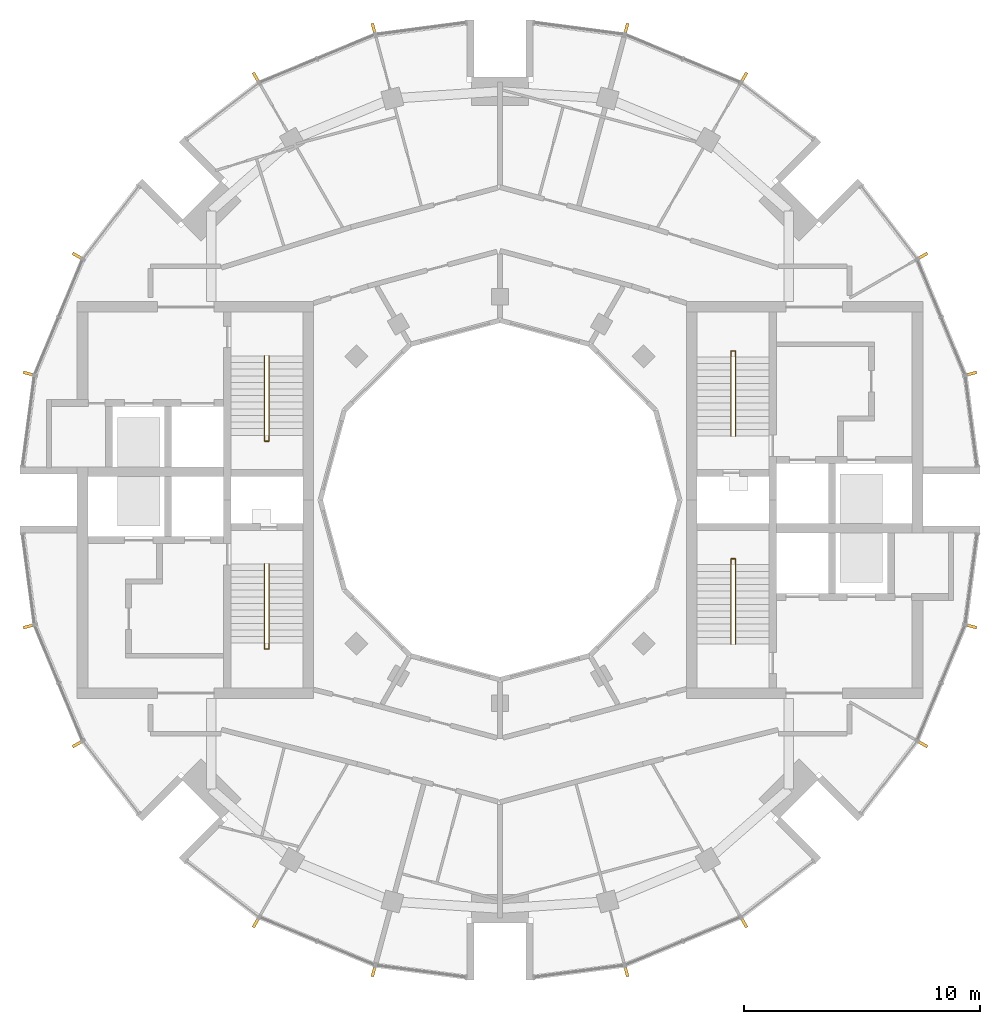
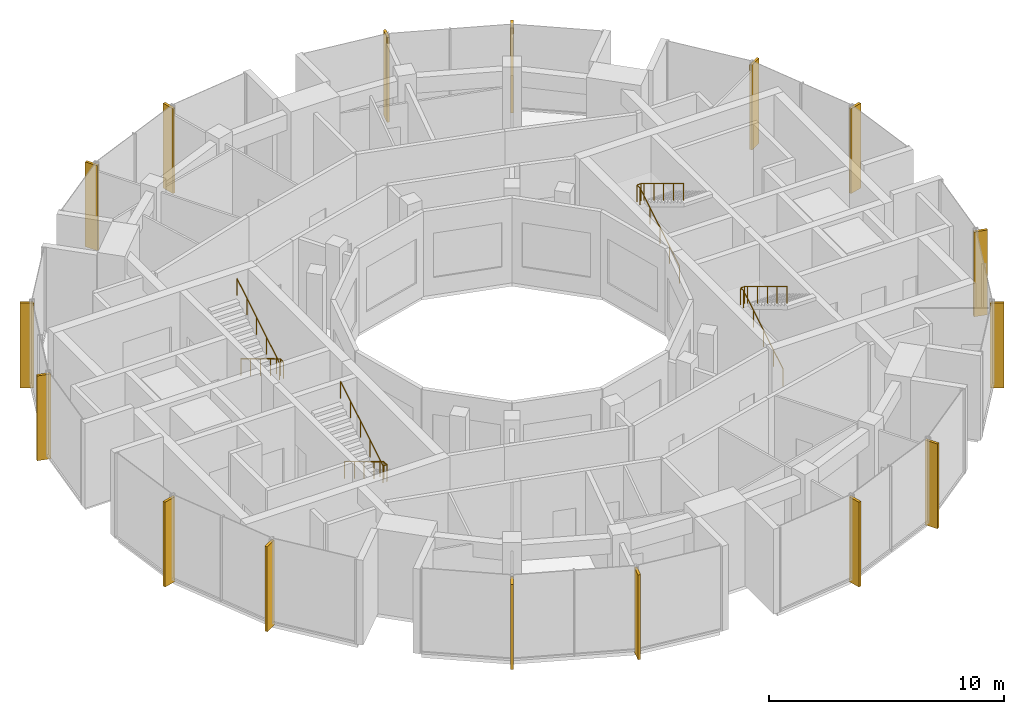
# One storey, part 12 of 13: 16 shading devices, 4 railings.
"""IFC4 building model written with IfcOpenShell, lengths in metres."""

import ifcopenshell
import ifcopenshell.guid

model = None  # the IFC model being written
_history = None  # IfcOwnerHistory: only IFC2X3 demands one
_inside = {}  # id of a spatial element -> (the spatial element, [elements in it])
_under = {}  # id of a project, library or spatial element -> (it, [spatial elements below it])
_declared = {}  # id of a project -> (the project, [libraries it declares])
_typed = {}  # id of a type object -> (the type object, [elements of that type])
_made_of = {}  # id of a material, layer set ... -> (it, [elements and type objects made of it])


def new_model(schema):
    """Start an empty IFC model of exactly this schema.

    Asked for "IFC4X3", IfcOpenShell would pick the latest addendum, in which some entities
    have other attributes; the version numbers below select the first issue.
    IFC2X3 requires an IfcOwnerHistory on every rooted entity: one is made here for all.
    """
    global model, _history
    if schema == "IFC4X3":
        model = ifcopenshell.file(schema_version=(4, 3, 0, 0))
    else:
        model = ifcopenshell.file(schema=schema)
    _inside.clear()
    _under.clear()
    _declared.clear()
    _typed.clear()
    _made_of.clear()
    _history = None
    if model.schema == "IFC2X3":
        org = make("IfcOrganization", Name="unknown")
        user = make(
            "IfcPersonAndOrganization",
            ThePerson=make("IfcPerson", FamilyName="unknown"),
            TheOrganization=org,
        )
        app = make(
            "IfcApplication",
            ApplicationDeveloper=org,
            Version="unknown",
            ApplicationFullName="unknown",
            ApplicationIdentifier="unknown",
        )
        _history = make(
            "IfcOwnerHistory",
            OwningUser=user,
            OwningApplication=app,
            ChangeAction="ADDED",
            CreationDate=0,
        )
    return model


def make(cls, **values):
    """One entity of the class cls with the attributes given. An attribute that is None is left unset."""
    return model.create_entity(
        cls, **{name: value for name, value in values.items() if value is not None}
    )


def rooted(cls, **values):
    """An entity with a GlobalId (a new one), such as an element, a storey or a relation."""
    return make(cls, GlobalId=ifcopenshell.guid.new(), OwnerHistory=_history, **values)


def si_unit(unit_type, name, prefix=None):
    """IfcSIUnit, for example si_unit("LENGTHUNIT", "METRE", prefix="MILLI")."""
    return make("IfcSIUnit", UnitType=unit_type, Prefix=prefix, Name=name)


def assignment(units):
    """IfcUnitAssignment: the units of a project."""
    return None if units is None else make("IfcUnitAssignment", Units=units)


def point(xyz):
    """IfcCartesianPoint."""
    return None if xyz is None else make("IfcCartesianPoint", Coordinates=xyz)


def direction(xyz):
    """IfcDirection."""
    return None if xyz is None else make("IfcDirection", DirectionRatios=xyz)


def frame(location, z_axis=None, x_axis=None):
    """IfcAxis2Placement3D, a coordinate frame: its origin and axes. An axis left out is left unset."""
    return make(
        "IfcAxis2Placement3D",
        Location=point(location),
        Axis=direction(z_axis),
        RefDirection=direction(x_axis),
    )


def frame_2d(location, x_axis=None):
    """IfcAxis2Placement2D, a coordinate frame in the plane: its origin and x axis."""
    return make(
        "IfcAxis2Placement2D", Location=point(location), RefDirection=direction(x_axis)
    )


def origin():
    """The frame at (0, 0, 0) with its axes left unset."""
    return frame((0.0, 0.0, 0.0))


def origin_2d():
    """The frame at (0, 0) in the plane with its x axis left unset."""
    return frame_2d((0.0, 0.0))


def place(relative_to, where):
    """IfcLocalPlacement: puts the frame where relative to a parent placement (None: the world)."""
    return make(
        "IfcLocalPlacement", PlacementRelTo=relative_to, RelativePlacement=where
    )


def context(
    kind, dimensions, precision=None, world=None, true_north=None, identifier=None
):
    """IfcGeometricRepresentationContext, for example the 3D "Model" context."""
    return make(
        "IfcGeometricRepresentationContext",
        ContextIdentifier=identifier,
        ContextType=kind,
        CoordinateSpaceDimension=dimensions,
        Precision=precision,
        WorldCoordinateSystem=world,
        TrueNorth=true_north,
    )


def subcontext(parent, identifier, kind, view, scale=None):
    """IfcGeometricRepresentationSubContext, for example "Body" below "Model"."""
    return make(
        "IfcGeometricRepresentationSubContext",
        ContextIdentifier=identifier,
        ContextType=kind,
        ParentContext=parent,
        TargetScale=scale,
        TargetView=view,
    )


def project(units=None, contexts=None):
    """IfcProject with its units and contexts."""
    return rooted(
        "IfcProject",
        Name="project",
        RepresentationContexts=contexts,
        UnitsInContext=assignment(units),
    )


def spatial(cls, under=None, at=None, **own):
    """A site, building, storey or space (cls), placed at a placement, below another one or the project."""
    s = rooted(cls, ObjectPlacement=at, **own)
    if under is not None:
        _under.setdefault(under.id(), (under, []))[1].append(s)
    return s


def profile(cls, at=None, kind="AREA", **sizes):
    """A parametric profile (cls). Its sizes go by their IFC names, for example OverallWidth=200.0."""
    return make(cls, ProfileType=kind, Position=at, **sizes)


def rectangle(**sizes):
    """IfcRectangleProfileDef."""
    return profile("IfcRectangleProfileDef", **sizes)


def circle(**sizes):
    """IfcCircleProfileDef."""
    return profile("IfcCircleProfileDef", **sizes)


def extrude(swept, where, along, depth):
    """IfcExtrudedAreaSolid: the profile swept, set in the frame where, extruded along a direction by depth."""
    return make(
        "IfcExtrudedAreaSolid",
        SweptArea=swept,
        Position=where,
        ExtrudedDirection=direction(along),
        Depth=depth,
    )


def shape(context_of_items, identifier, shape_type, items):
    """IfcShapeRepresentation: the items that make up one representation, for example the "Body"."""
    return make(
        "IfcShapeRepresentation",
        ContextOfItems=context_of_items,
        RepresentationIdentifier=identifier,
        RepresentationType=shape_type,
        Items=items,
    )


def material(Name=None, Category=None):
    """IfcMaterial."""
    return make("IfcMaterial", Name=Name, Category=Category)


def material_profile(
    of_material, cross_section, Name=None, Category=None, Priority=None
):
    """IfcMaterialProfile: a cross section and its material."""
    return make(
        "IfcMaterialProfile",
        Name=Name,
        Material=of_material,
        Profile=cross_section,
        Priority=Priority,
        Category=Category,
    )


def profile_set(profiles, Name=None, composite=None):
    """IfcMaterialProfileSet."""
    return make(
        "IfcMaterialProfileSet",
        Name=Name,
        MaterialProfiles=profiles,
        CompositeProfile=composite,
    )


def made_of(thing, what):
    """Note that an element or type object is made of a material, layer set ...; save() writes the relation."""
    if what is not None:
        _made_of.setdefault(what.id(), (what, []))[1].append(thing)
    return thing


def type_object(cls, material=None, **own):
    """A type object (cls), such as IfcWallType, which elements share."""
    return made_of(rooted(cls, **own), material)


def element(
    cls,
    number,
    at=None,
    inside=None,
    cuts=None,
    type_object=None,
    material=None,
    context=None,
    identifier="Body",
    shape_type=None,
    held_by="IfcProductDefinitionShape",
    body=None,
    shapes=None,
    **own,
):
    """One element of the class cls, such as IfcWall. Its Tag is "e" and its number.

    at: its placement. inside: the storey or other place that contains it. cuts: it is an
    opening in that element (IfcRelVoidsElement). A single representation is given by context,
    identifier, shape_type and body (its items); several are given by shapes. held_by: the class
    of the entity that holds the representations. save() writes the other relations.
    """
    e = rooted(cls, Tag="e%d" % number, ObjectPlacement=at, **own)
    if body is not None:
        shapes = [shape(context, identifier, shape_type, body)]
    if shapes is not None:
        e.Representation = make(held_by, Representations=shapes)
    if inside is not None:
        _inside.setdefault(inside.id(), (inside, []))[1].append(e)
    if cuts is not None:
        rooted(
            "IfcRelVoidsElement", RelatingBuildingElement=cuts, RelatedOpeningElement=e
        )
    if type_object is not None:
        _typed.setdefault(type_object.id(), (type_object, []))[1].append(e)
    return made_of(e, material)


def aggregate(whole, parts):
    """IfcRelAggregates: a whole, such as a stair, and the parts it consists of."""
    return rooted("IfcRelAggregates", RelatingObject=whole, RelatedObjects=parts)


def save(model, path):
    """Write the relations noted so far, then the file.

    IfcRelAggregates (storeys below a building ...), IfcRelContainedInSpatialStructure (elements
    in a storey), IfcRelDefinesByType, IfcRelAssociatesMaterial and IfcRelDeclares: one each for
    every whole, place, type object, material and project.
    """
    for whole, parts in _under.values():
        aggregate(whole, parts)
    for where, things in _inside.values():
        rooted(
            "IfcRelContainedInSpatialStructure",
            RelatedElements=things,
            RelatingStructure=where,
        )
    for kind, things in _typed.values():
        rooted("IfcRelDefinesByType", RelatedObjects=things, RelatingType=kind)
    for what, things in _made_of.values():
        rooted("IfcRelAssociatesMaterial", RelatedObjects=things, RelatingMaterial=what)
    for by, libraries in _declared.values():
        rooted("IfcRelDeclares", RelatingContext=by, RelatedDefinitions=libraries)
    model.write(path)


model = new_model("IFC4")

# Units and contexts
model_context = context("Model", 3, precision=1e-05, world=origin(), true_north=direction((0.0, 1.0)))
body_context = subcontext(model_context, "Body", "Model", "MODEL_VIEW")
ifc_project = project(units=[si_unit("LENGTHUNIT", "METRE"), si_unit("AREAUNIT", "SQUARE_METRE"), si_unit("VOLUMEUNIT", "CUBIC_METRE"), si_unit("PLANEANGLEUNIT", "RADIAN"), si_unit("MASSUNIT", "GRAM", prefix="KILO")], contexts=[model_context])

# Site, building, storey
site_placement = place(None, origin())
site = spatial("IfcSite", under=ifc_project, at=site_placement, CompositionType="ELEMENT")
building_placement = place(site_placement, origin())
building = spatial("IfcBuilding", under=site, at=building_placement, Name="Torre Brocal", CompositionType="ELEMENT")
storey_placement = place(building_placement, frame((0.0, 0.0, 319.300048828125)))
storey = spatial("IfcBuildingStorey", under=building, at=storey_placement, Name="L73", CompositionType="ELEMENT", Elevation=319.300048828125)

# Shading devices
ifc_material_1 = material(Name="Aluminium, black anodised", Category="aluminium")
ifc_material_profile = material_profile(ifc_material_1, rectangle(XDim=0.1201171875, YDim=0.60009765625, at=origin_2d()), Name="FIN 120X600 4400 HIGH")
ifc_profile_set = profile_set([ifc_material_profile], Name="Aluminium, black anodised")
shading_device_type = type_object("IfcShadingDeviceType", Name="FIN 120X600 4400 HIGH", PredefinedType="USERDEFINED", material=ifc_profile_set)
for number, where, z_axis, x_axis, name in (
    (1, (99.896484375, 80.331298828125, -0.150146484375), (0.0, 0.0, 1.0), (-0.258819045103, 0.965925826289, 0.0), "FIN"),
    (2, (97.838623046875, 85.299072265625, -0.150146484375), (0.0, 0.0, 1.0), (-0.5, 0.866025403784, 0.0), "FIN"),
    (3, (90.299072265625, 92.838623046875, -0.150146484375), (0.0, 0.0, 1.0), (-0.866025403784, 0.5, 0.0), "FIN"),
    (4, (85.331298828125, 94.896484375, -0.150146484375), (0.0, 0.0, 1.0), (-0.965925826289, 0.258819045103, 0.0), "FIN"),
    (5, (74.668701171875, 94.896484375, -0.150146484375), (0.0, 0.0, 1.0), (-0.965925826289, -0.258819045103, 0.0), "FIN"),
    (6, (69.700927734375, 92.838623046875, -0.150146484375), (0.0, 0.0, 1.0), (-0.866025403784, -0.5, 0.0), "FIN"),
    (7, (62.161376953125, 85.299072265625, -0.150146484375), (0.0, 0.0, 1.0), (-0.5, -0.866025403784, 0.0), "FIN"),
    (8, (60.103515625, 80.331298828125, -0.150146484375), (0.0, 0.0, 1.0), (-0.258819045103, -0.965925826289, 0.0), "FIN"),
    (9, (60.103515625, 69.668701171875, -0.150146484375), (0.0, 0.0, 1.0), (0.258819045103, -0.965925826289, 0.0), "FIN"),
    (10, (62.161376953125, 64.700927734375, -0.150146484375), (0.0, 0.0, 1.0), (0.5, -0.866025403784, 0.0), "FIN"),
    (11, (69.700927734375, 57.161376953125, -0.150146484375), (0.0, 0.0, 1.0), (0.866025403784, -0.5, 0.0), "FIN"),
    (12, (74.668701171875, 55.103515625, -0.150146484375), (0.0, 0.0, 1.0), (0.965925826289, -0.258819045103, 0.0), "FIN"),
    (13, (85.331298828125, 55.103515625, -0.150146484375), (0.0, 0.0, 1.0), (0.965925826289, 0.258819045103, 0.0), "FIN"),
    (14, (90.299072265625, 57.161376953125, -0.150146484375), (0.0, 0.0, 1.0), (0.866025403784, 0.5, 0.0), "FIN"),
    (15, (97.838623046875, 64.700927734375, -0.150146484375), (0.0, 0.0, 1.0), (0.5, 0.866025403784, 0.0), "FIN"),
    (16, (99.896484375, 69.668701171875, -0.150146484375), (0.0, 0.0, 1.0), (0.258819045103, 0.965925826289, 0.0), "FIN"),
):
    element("IfcShadingDevice", number, at=place(storey_placement, frame(where, z_axis=z_axis, x_axis=x_axis)), inside=storey, type_object=shading_device_type, Name=name, ObjectType="FIN", PredefinedType="USERDEFINED", context=body_context, shape_type="SweptSolid", body=[
        extrude(rectangle(XDim=0.1201171875, YDim=0.60009765625, at=origin_2d()), origin(), (0.0, 0.0, 1.0), 4.400146484375),
    ])

# Railings
ifc_material_2 = material(Name="Stainless steel AISI 316", Category="steel")
railing_type = type_object("IfcRailingType", Name="STAIR HANDRAIL", PredefinedType="HANDRAIL", material=ifc_material_2)
railing_1_placement = place(storey_placement, frame((89.780029296875, 77.699951171875, 0.169189453125)))
element("IfcRailing", 17, at=railing_1_placement, inside=storey, type_object=railing_type, Name="HANDRAIL ST1", PredefinedType="HANDRAIL", context=body_context, shape_type="SweptSolid", body=[
    extrude(circle(Radius=0.02392578125, at=origin_2d()), frame((0.0, 0.0, 0.8759765625), z_axis=(0.0, 0.855836976705, 0.517245656632), x_axis=(-1.0, 0.0, 0.0)), (0.0, 0.0, 1.0), 3.926025390625),
    extrude(circle(Radius=0.02392578125, at=origin_2d()), frame((0.0, 3.360107421875, 2.90673828125), z_axis=(0.0, 1.0, 0.0), x_axis=(-1.0, 0.0, 0.0)), (0.0, 0.0, 1.0), 0.25),
    extrude(circle(Radius=0.02392578125, at=origin_2d()), frame((0.0, 3.610107421875, 2.90673828125), z_axis=(1.0, 0.0, 0.0), x_axis=(0.0, 1.0, 0.0)), (0.0, 0.0, 1.0), 0.18994140625),
    extrude(circle(Radius=0.02392578125, at=origin_2d()), frame((0.18994140625, 3.610107421875, 2.90673828125), z_axis=(0.0, -0.828173002143, 0.560472549302), x_axis=(1.0, 0.0, 0.0)), (0.0, 0.0, 1.0), 0.3017578125),
    extrude(circle(Radius=0.02392578125, at=origin_2d()), frame((0.18994140625, 3.360107421875, 3.07568359375), z_axis=(0.0, -0.855836976705, 0.517245656632), x_axis=(1.0, 0.0, 0.0)), (0.0, 0.0, 1.0), 3.926025390625),
    extrude(circle(Radius=0.02099609375, at=origin_2d()), origin(), (0.0, 0.0, 1.0), 0.851806640625),
    extrude(circle(Radius=0.02099609375, at=origin_2d()), frame((0.0, 0.840087890625, 0.5078125)), (0.0, 0.0, 1.0), 0.851806640625),
    extrude(circle(Radius=0.02099609375, at=origin_2d()), frame((0.0, 1.68017578125, 1.015380859375)), (0.0, 0.0, 1.0), 0.851806640625),
    extrude(circle(Radius=0.02099609375, at=origin_2d()), frame((0.0, 2.52001953125, 1.52294921875)), (0.0, 0.0, 1.0), 0.851806640625),
    extrude(circle(Radius=0.02099609375, at=origin_2d()), frame((0.0, 3.360107421875, 2.03076171875)), (0.0, 0.0, 1.0), 0.851806640625),
    extrude(circle(Radius=0.02099609375, at=origin_2d()), frame((0.0, 3.610107421875, 2.03076171875)), (0.0, 0.0, 1.0), 0.851806640625),
    extrude(circle(Radius=0.02099609375, at=origin_2d()), frame((0.18994140625, 3.610107421875, 2.03076171875)), (0.0, 0.0, 1.0), 0.851806640625),
    extrude(circle(Radius=0.02099609375, at=origin_2d()), frame((0.18994140625, 3.360107421875, 2.199951171875)), (0.0, 0.0, 1.0), 0.851806640625),
    extrude(circle(Radius=0.02099609375, at=origin_2d()), frame((0.18994140625, 2.52001953125, 2.70751953125)), (0.0, 0.0, 1.0), 0.851806640625),
    extrude(circle(Radius=0.02099609375, at=origin_2d()), frame((0.18994140625, 1.68017578125, 3.21533203125)), (0.0, 0.0, 1.0), 0.851806640625),
    extrude(circle(Radius=0.02099609375, at=origin_2d()), frame((0.18994140625, 0.840087890625, 3.72314453125)), (0.0, 0.0, 1.0), 0.851806640625),
    extrude(circle(Radius=0.02099609375, at=origin_2d()), frame((0.18994140625, 0.0, 4.230712890625)), (0.0, 0.0, 1.0), 0.851806640625),
])
railing_2_placement = place(storey_placement, frame((89.780029296875, 68.89990234375, 0.169189453125)))
element("IfcRailing", 18, at=railing_2_placement, inside=storey, type_object=railing_type, Name="HANDRAIL ST2", PredefinedType="HANDRAIL", context=body_context, shape_type="SweptSolid", body=[
    extrude(circle(Radius=0.02392578125, at=origin_2d()), frame((0.0, 0.0, 0.8759765625), z_axis=(0.0, 0.855836976705, 0.517245656632), x_axis=(-1.0, 0.0, 0.0)), (0.0, 0.0, 1.0), 3.926025390625),
    extrude(circle(Radius=0.02392578125, at=origin_2d()), frame((0.0, 3.360107421875, 2.90673828125), z_axis=(0.0, 1.0, 0.0), x_axis=(-1.0, 0.0, 0.0)), (0.0, 0.0, 1.0), 0.25),
    extrude(circle(Radius=0.02392578125, at=origin_2d()), frame((0.0, 3.610107421875, 2.90673828125), z_axis=(1.0, 0.0, 0.0), x_axis=(0.0, 1.0, 0.0)), (0.0, 0.0, 1.0), 0.18994140625),
    extrude(circle(Radius=0.02392578125, at=origin_2d()), frame((0.18994140625, 3.610107421875, 2.90673828125), z_axis=(0.0, -0.828173002143, 0.560472549302), x_axis=(1.0, 0.0, 0.0)), (0.0, 0.0, 1.0), 0.3017578125),
    extrude(circle(Radius=0.02392578125, at=origin_2d()), frame((0.18994140625, 3.360107421875, 3.07568359375), z_axis=(0.0, -0.855836976705, 0.517245656632), x_axis=(1.0, 0.0, 0.0)), (0.0, 0.0, 1.0), 3.926025390625),
    extrude(circle(Radius=0.02099609375, at=origin_2d()), origin(), (0.0, 0.0, 1.0), 0.851806640625),
    extrude(circle(Radius=0.02099609375, at=origin_2d()), frame((0.0, 0.840087890625, 0.5078125)), (0.0, 0.0, 1.0), 0.851806640625),
    extrude(circle(Radius=0.02099609375, at=origin_2d()), frame((0.0, 1.68017578125, 1.015380859375)), (0.0, 0.0, 1.0), 0.851806640625),
    extrude(circle(Radius=0.02099609375, at=origin_2d()), frame((0.0, 2.52001953125, 1.52294921875)), (0.0, 0.0, 1.0), 0.851806640625),
    extrude(circle(Radius=0.02099609375, at=origin_2d()), frame((0.0, 3.360107421875, 2.03076171875)), (0.0, 0.0, 1.0), 0.851806640625),
    extrude(circle(Radius=0.02099609375, at=origin_2d()), frame((0.0, 3.610107421875, 2.03076171875)), (0.0, 0.0, 1.0), 0.851806640625),
    extrude(circle(Radius=0.02099609375, at=origin_2d()), frame((0.18994140625, 3.610107421875, 2.03076171875)), (0.0, 0.0, 1.0), 0.851806640625),
    extrude(circle(Radius=0.02099609375, at=origin_2d()), frame((0.18994140625, 3.360107421875, 2.199951171875)), (0.0, 0.0, 1.0), 0.851806640625),
    extrude(circle(Radius=0.02099609375, at=origin_2d()), frame((0.18994140625, 2.52001953125, 2.70751953125)), (0.0, 0.0, 1.0), 0.851806640625),
    extrude(circle(Radius=0.02099609375, at=origin_2d()), frame((0.18994140625, 1.68017578125, 3.21533203125)), (0.0, 0.0, 1.0), 0.851806640625),
    extrude(circle(Radius=0.02099609375, at=origin_2d()), frame((0.18994140625, 0.840087890625, 3.72314453125)), (0.0, 0.0, 1.0), 0.851806640625),
    extrude(circle(Radius=0.02099609375, at=origin_2d()), frame((0.18994140625, 0.0, 4.230712890625)), (0.0, 0.0, 1.0), 0.851806640625),
])
railing_3_placement = place(storey_placement, frame((70.219970703125, 72.300048828125, 0.169189453125)))
element("IfcRailing", 19, at=railing_3_placement, inside=storey, type_object=railing_type, Name="HANDRAIL ST3", PredefinedType="HANDRAIL", context=body_context, shape_type="SweptSolid", body=[
    extrude(circle(Radius=0.02392578125, at=origin_2d()), frame((0.0, 0.0, 0.8759765625), z_axis=(0.0, -0.855836976705, 0.517245656632), x_axis=(1.0, 0.0, 0.0)), (0.0, 0.0, 1.0), 3.926025390625),
    extrude(circle(Radius=0.02392578125, at=origin_2d()), frame((0.0, -3.360107421875, 2.90673828125), z_axis=(0.0, -1.0, 0.0), x_axis=(1.0, 0.0, 0.0)), (0.0, 0.0, 1.0), 0.25),
    extrude(circle(Radius=0.02392578125, at=origin_2d()), frame((0.0, -3.610107421875, 2.90673828125), z_axis=(-1.0, 0.0, 0.0), x_axis=(0.0, -1.0, 0.0)), (0.0, 0.0, 1.0), 0.18994140625),
    extrude(circle(Radius=0.02392578125, at=origin_2d()), frame((-0.18994140625, -3.610107421875, 2.90673828125), z_axis=(0.0, 0.828173002143, 0.560472549302), x_axis=(-1.0, 0.0, 0.0)), (0.0, 0.0, 1.0), 0.3017578125),
    extrude(circle(Radius=0.02392578125, at=origin_2d()), frame((-0.18994140625, -3.360107421875, 3.07568359375), z_axis=(0.0, 0.855836976705, 0.517245656632), x_axis=(-1.0, 0.0, 0.0)), (0.0, 0.0, 1.0), 3.926025390625),
    extrude(circle(Radius=0.02099609375, at=origin_2d()), origin(), (0.0, 0.0, 1.0), 0.851806640625),
    extrude(circle(Radius=0.02099609375, at=origin_2d()), frame((0.0, -0.840087890625, 0.5078125)), (0.0, 0.0, 1.0), 0.851806640625),
    extrude(circle(Radius=0.02099609375, at=origin_2d()), frame((0.0, -1.68017578125, 1.015380859375)), (0.0, 0.0, 1.0), 0.851806640625),
    extrude(circle(Radius=0.02099609375, at=origin_2d()), frame((0.0, -2.52001953125, 1.52294921875)), (0.0, 0.0, 1.0), 0.851806640625),
    extrude(circle(Radius=0.02099609375, at=origin_2d()), frame((0.0, -3.360107421875, 2.03076171875)), (0.0, 0.0, 1.0), 0.851806640625),
    extrude(circle(Radius=0.02099609375, at=origin_2d()), frame((0.0, -3.610107421875, 2.03076171875)), (0.0, 0.0, 1.0), 0.851806640625),
    extrude(circle(Radius=0.02099609375, at=origin_2d()), frame((-0.18994140625, -3.610107421875, 2.03076171875)), (0.0, 0.0, 1.0), 0.851806640625),
    extrude(circle(Radius=0.02099609375, at=origin_2d()), frame((-0.18994140625, -3.360107421875, 2.199951171875)), (0.0, 0.0, 1.0), 0.851806640625),
    extrude(circle(Radius=0.02099609375, at=origin_2d()), frame((-0.18994140625, -2.52001953125, 2.70751953125)), (0.0, 0.0, 1.0), 0.851806640625),
    extrude(circle(Radius=0.02099609375, at=origin_2d()), frame((-0.18994140625, -1.68017578125, 3.21533203125)), (0.0, 0.0, 1.0), 0.851806640625),
    extrude(circle(Radius=0.02099609375, at=origin_2d()), frame((-0.18994140625, -0.840087890625, 3.72314453125)), (0.0, 0.0, 1.0), 0.851806640625),
    extrude(circle(Radius=0.02099609375, at=origin_2d()), frame((-0.18994140625, 0.0, 4.230712890625)), (0.0, 0.0, 1.0), 0.851806640625),
])
railing_4_placement = place(storey_placement, frame((70.219970703125, 81.10009765625, 0.169189453125)))
element("IfcRailing", 20, at=railing_4_placement, inside=storey, type_object=railing_type, Name="HANDRAIL ST4", PredefinedType="HANDRAIL", context=body_context, shape_type="SweptSolid", body=[
    extrude(circle(Radius=0.02392578125, at=origin_2d()), frame((0.0, 0.0, 0.8759765625), z_axis=(0.0, -0.855836976705, 0.517245656632), x_axis=(1.0, 0.0, 0.0)), (0.0, 0.0, 1.0), 3.926025390625),
    extrude(circle(Radius=0.02392578125, at=origin_2d()), frame((0.0, -3.360107421875, 2.90673828125), z_axis=(0.0, -1.0, 0.0), x_axis=(1.0, 0.0, 0.0)), (0.0, 0.0, 1.0), 0.25),
    extrude(circle(Radius=0.02392578125, at=origin_2d()), frame((0.0, -3.610107421875, 2.90673828125), z_axis=(-1.0, 0.0, 0.0), x_axis=(0.0, -1.0, 0.0)), (0.0, 0.0, 1.0), 0.18994140625),
    extrude(circle(Radius=0.02392578125, at=origin_2d()), frame((-0.18994140625, -3.610107421875, 2.90673828125), z_axis=(0.0, 0.828173002143, 0.560472549302), x_axis=(-1.0, 0.0, 0.0)), (0.0, 0.0, 1.0), 0.3017578125),
    extrude(circle(Radius=0.02392578125, at=origin_2d()), frame((-0.18994140625, -3.360107421875, 3.07568359375), z_axis=(0.0, 0.855836976705, 0.517245656632), x_axis=(-1.0, 0.0, 0.0)), (0.0, 0.0, 1.0), 3.926025390625),
    extrude(circle(Radius=0.02099609375, at=origin_2d()), origin(), (0.0, 0.0, 1.0), 0.851806640625),
    extrude(circle(Radius=0.02099609375, at=origin_2d()), frame((0.0, -0.840087890625, 0.5078125)), (0.0, 0.0, 1.0), 0.851806640625),
    extrude(circle(Radius=0.02099609375, at=origin_2d()), frame((0.0, -1.68017578125, 1.015380859375)), (0.0, 0.0, 1.0), 0.851806640625),
    extrude(circle(Radius=0.02099609375, at=origin_2d()), frame((0.0, -2.52001953125, 1.52294921875)), (0.0, 0.0, 1.0), 0.851806640625),
    extrude(circle(Radius=0.02099609375, at=origin_2d()), frame((0.0, -3.360107421875, 2.03076171875)), (0.0, 0.0, 1.0), 0.851806640625),
    extrude(circle(Radius=0.02099609375, at=origin_2d()), frame((0.0, -3.610107421875, 2.03076171875)), (0.0, 0.0, 1.0), 0.851806640625),
    extrude(circle(Radius=0.02099609375, at=origin_2d()), frame((-0.18994140625, -3.610107421875, 2.03076171875)), (0.0, 0.0, 1.0), 0.851806640625),
    extrude(circle(Radius=0.02099609375, at=origin_2d()), frame((-0.18994140625, -3.360107421875, 2.199951171875)), (0.0, 0.0, 1.0), 0.851806640625),
    extrude(circle(Radius=0.02099609375, at=origin_2d()), frame((-0.18994140625, -2.52001953125, 2.70751953125)), (0.0, 0.0, 1.0), 0.851806640625),
    extrude(circle(Radius=0.02099609375, at=origin_2d()), frame((-0.18994140625, -1.68017578125, 3.21533203125)), (0.0, 0.0, 1.0), 0.851806640625),
    extrude(circle(Radius=0.02099609375, at=origin_2d()), frame((-0.18994140625, -0.840087890625, 3.72314453125)), (0.0, 0.0, 1.0), 0.851806640625),
    extrude(circle(Radius=0.02099609375, at=origin_2d()), frame((-0.18994140625, 0.0, 4.230712890625)), (0.0, 0.0, 1.0), 0.851806640625),
])

save(model, "model.ifc")
